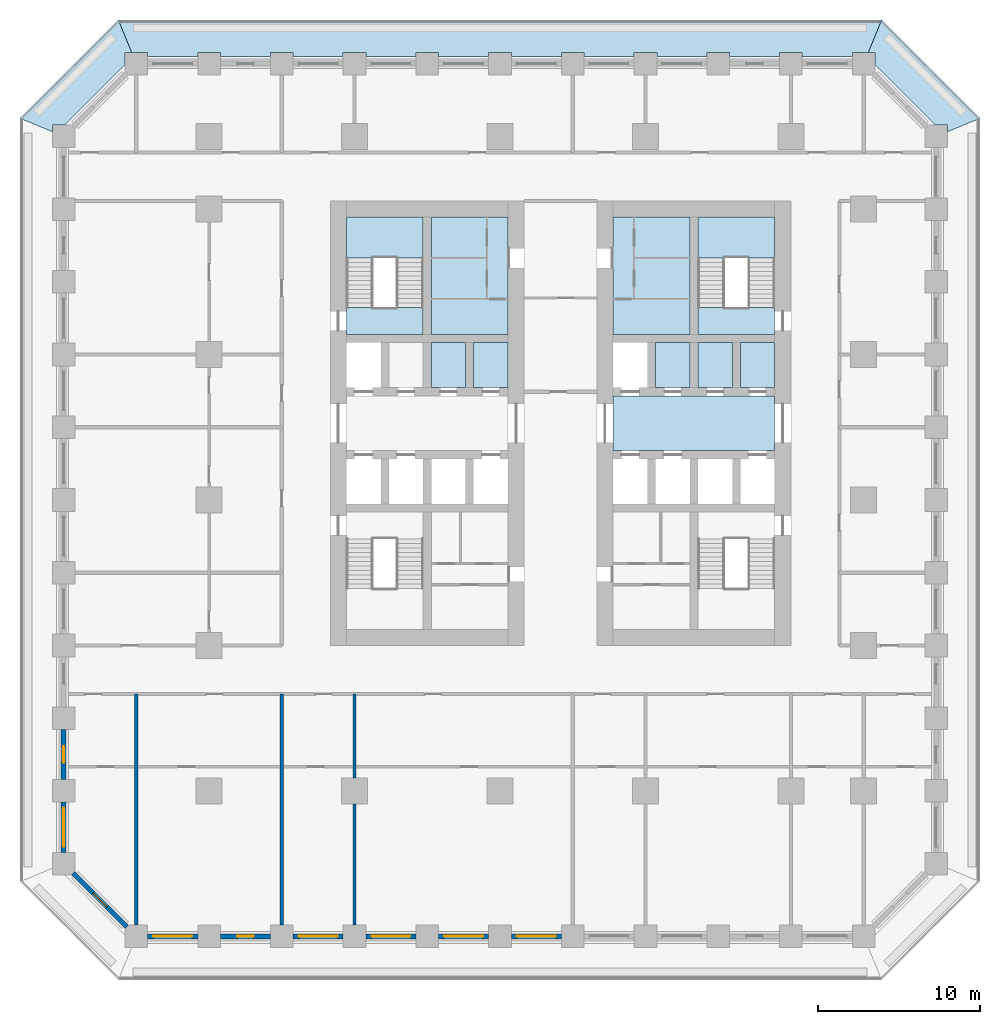
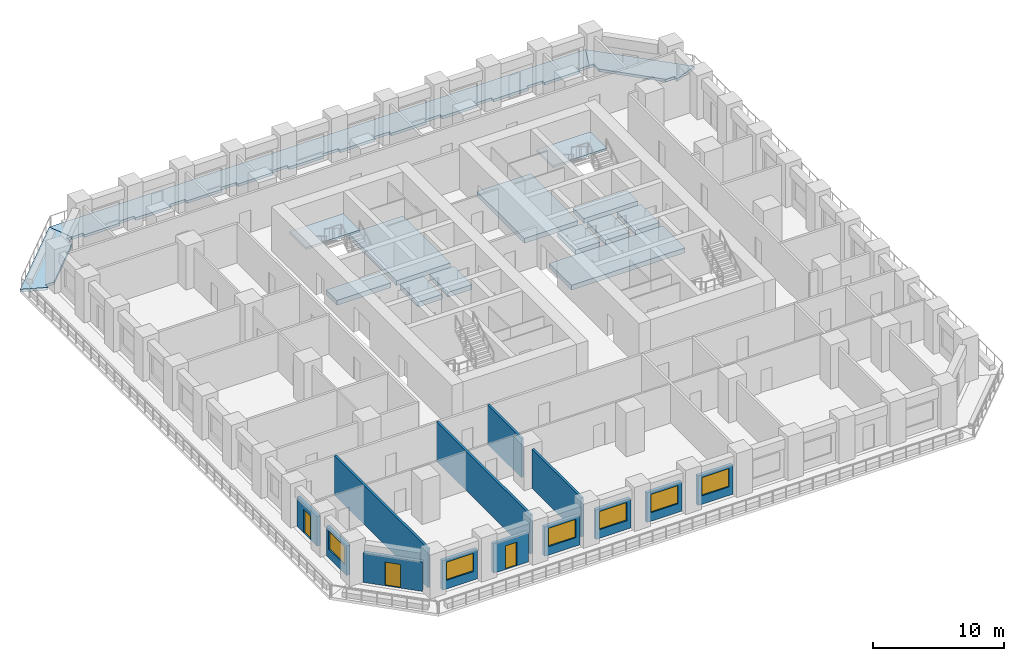
# One storey, part 2 of 12: 15 slabs, 13 walls, 6 windows, 3 doors, 9 openings, 2 elements without a shape of their own.
"""IFC4 building model written with IfcOpenShell, lengths in metres."""

from ifc_helpers import new_model, si_unit, direction, frame, frame_2d, origin, place, context, subcontext, project, spatial, polyline, rectangle, outline, extrude, material, layer, layer_set, type_object, element, fill, aggregate, save


model = new_model("IFC4")

# Units and contexts
model_context = context("Model", 3, precision=1e-05, world=origin(), true_north=direction((0.0, 1.0)))
body_context = subcontext(model_context, "Body", "Model", "MODEL_VIEW")
ifc_project = project(units=[si_unit("LENGTHUNIT", "METRE"), si_unit("AREAUNIT", "SQUARE_METRE"), si_unit("VOLUMEUNIT", "CUBIC_METRE"), si_unit("PLANEANGLEUNIT", "RADIAN"), si_unit("MASSUNIT", "GRAM", prefix="KILO")], contexts=[model_context])

# Site, building, storey
site_placement = place(None, origin())
site = spatial("IfcSite", under=ifc_project, at=site_placement, CompositionType="ELEMENT")
building_placement = place(site_placement, origin())
building = spatial("IfcBuilding", under=site, at=building_placement, Name="Corbel Stack Research Tower", CompositionType="ELEMENT")
storey_placement = place(building_placement, frame((0.0, 0.0, 27.699951171875)))
storey = spatial("IfcBuildingStorey", under=building, at=storey_placement, Name="L06", CompositionType="ELEMENT", Elevation=27.699951171875)

# Slabs
ifc_material_1 = material(Name="Concrete C45/55", Category="concrete")
ifc_layer_1 = layer(ifc_material_1, 0.25)
ifc_layer_set_1 = layer_set([ifc_layer_1], Name="Concrete C45/55")
slab_type_1 = type_object("IfcSlabType", Name="PT balcony slab 250 C45/55", PredefinedType="FLOOR", material=ifc_layer_set_1)
slab_1_placement = place(storey_placement, frame((0.0, 0.0, -0.25)))
element("IfcSlab", 1, at=slab_1_placement, inside=storey, type_object=slab_type_1, Name="Loggia slab L06 NE", PredefinedType="FLOOR", context=body_context, shape_type="SweptSolid", body=[
    extrude(outline(polyline([(22.789794921875, 27.699951171875), (23.199951171875, 27.699951171875), (23.199951171875, 26.936279296875), (26.936279296875, 23.199951171875), (27.699951171875, 23.199951171875), (27.699951171875, 22.789794921875), (29.699951171875, 23.618408203125), (23.618408203125, 29.699951171875), (22.789794921875, 27.699951171875)])), origin(), (0.0, 0.0, 1.0), 0.25),
])
slab_2_placement = place(storey_placement, frame((0.0, 0.0, -0.25)))
element("IfcSlab", 2, at=slab_2_placement, inside=storey, type_object=slab_type_1, Name="Loggia slab L06 N", PredefinedType="FLOOR", context=body_context, shape_type="SweptSolid", body=[
    extrude(outline(polyline([(-22.789794921875, 27.699951171875), (-21.800048828125, 27.699951171875), (-21.800048828125, 27.449951171875), (-18.699951171875, 27.449951171875), (-18.699951171875, 27.699951171875), (-17.300048828125, 27.699951171875), (-17.300048828125, 27.449951171875), (-14.199951171875, 27.449951171875), (-14.199951171875, 27.699951171875), (-12.800048828125, 27.699951171875), (-12.800048828125, 27.449951171875), (-9.699951171875, 27.449951171875), (-9.699951171875, 27.699951171875), (-8.300048828125, 27.699951171875), (-8.300048828125, 27.449951171875), (-5.199951171875, 27.449951171875), (-5.199951171875, 27.699951171875), (-3.800048828125, 27.699951171875), (-3.800048828125, 27.449951171875), (-0.699951171875, 27.449951171875), (-0.699951171875, 27.699951171875), (0.699951171875, 27.699951171875), (0.699951171875, 27.449951171875), (3.800048828125, 27.449951171875), (3.800048828125, 27.699951171875), (5.199951171875, 27.699951171875), (5.199951171875, 27.449951171875), (8.300048828125, 27.449951171875), (8.300048828125, 27.699951171875), (9.699951171875, 27.699951171875), (9.699951171875, 27.449951171875), (12.800048828125, 27.449951171875), (12.800048828125, 27.699951171875), (14.199951171875, 27.699951171875), (14.199951171875, 27.449951171875), (17.300048828125, 27.449951171875), (17.300048828125, 27.699951171875), (18.699951171875, 27.699951171875), (18.699951171875, 27.449951171875), (21.800048828125, 27.449951171875), (21.800048828125, 27.699951171875), (22.789794921875, 27.699951171875), (23.618408203125, 29.699951171875), (-23.618408203125, 29.699951171875), (-22.789794921875, 27.699951171875)])), origin(), (0.0, 0.0, 1.0), 0.25),
])
slab_3_placement = place(storey_placement, frame((0.0, 0.0, -0.25)))
element("IfcSlab", 3, at=slab_3_placement, inside=storey, type_object=slab_type_1, Name="Loggia slab L06 NW", PredefinedType="FLOOR", context=body_context, shape_type="SweptSolid", body=[
    extrude(outline(polyline([(-27.699951171875, 22.789794921875), (-27.699951171875, 23.199951171875), (-26.936279296875, 23.199951171875), (-23.199951171875, 26.936279296875), (-23.199951171875, 27.699951171875), (-22.789794921875, 27.699951171875), (-23.618408203125, 29.699951171875), (-29.699951171875, 23.618408203125), (-27.699951171875, 22.789794921875)])), origin(), (0.0, 0.0, 1.0), 0.25),
])
ifc_material_2 = material(Name="Concrete C45/55", Category="concrete")
ifc_layer_2 = layer(ifc_material_2, 0.449951171875)
ifc_layer_set_2 = layer_set([ifc_layer_2], Name="Concrete C45/55")
slab_type_2 = type_object("IfcSlabType", Name="PT-450", PredefinedType="FLOOR", material=ifc_layer_set_2)
slab_4_placement = place(storey_placement, frame((0.0, 0.0, -0.449951171875)))
element("IfcSlab", 4, at=slab_4_placement, inside=storey, type_object=slab_type_2, Name="West core floor L06", PredefinedType="FLOOR", context=body_context, shape_type="SweptSolid", body=[
    extrude(outline(polyline([(-2.125, 6.949951171875), (-2.125, 9.75), (-4.25, 9.75), (-4.25, 6.949951171875), (-2.125, 6.949951171875)])), origin(), (0.0, 0.0, 1.0), 0.449951171875),
])
slab_5_placement = place(storey_placement, frame((0.0, 0.0, -0.449951171875)))
element("IfcSlab", 5, at=slab_5_placement, inside=storey, type_object=slab_type_2, Name="West core floor L06", PredefinedType="FLOOR", context=body_context, shape_type="SweptSolid", body=[
    extrude(outline(polyline([(-4.25, 17.5), (-4.25, 10.25), (0.5, 10.25), (0.5, 17.5), (-4.25, 17.5)])), origin(), (0.0, 0.0, 1.0), 0.449951171875),
])
slab_6_placement = place(storey_placement, frame((0.0, 0.0, -0.449951171875)))
element("IfcSlab", 6, at=slab_6_placement, inside=storey, type_object=slab_type_2, Name="West core floor L06", PredefinedType="FLOOR", context=body_context, shape_type="SweptSolid", body=[
    extrude(outline(polyline([(0.5, 6.949951171875), (0.5, 9.75), (-1.625, 9.75), (-1.625, 6.949951171875), (0.5, 6.949951171875)])), origin(), (0.0, 0.0, 1.0), 0.449951171875),
])
slab_7_placement = place(storey_placement, frame((0.0, 0.0, -0.449951171875)))
element("IfcSlab", 7, at=slab_7_placement, inside=storey, type_object=slab_type_2, Name="East core floor L06", PredefinedType="FLOOR", context=body_context, shape_type="SweptSolid", body=[
    extrude(outline(polyline([(7.0, 6.449951171875), (7.0, 3.050048828125), (17.0, 3.050048828125), (17.0, 6.449951171875), (7.0, 6.449951171875)])), origin(), (0.0, 0.0, 1.0), 0.449951171875),
])
slab_8_placement = place(storey_placement, frame((0.0, 0.0, -0.449951171875)))
element("IfcSlab", 8, at=slab_8_placement, inside=storey, type_object=slab_type_2, Name="East core floor L06", PredefinedType="FLOOR", context=body_context, shape_type="SweptSolid", body=[
    extrude(outline(polyline([(7.0, 17.5), (7.0, 10.25), (11.75, 10.25), (11.75, 17.5), (7.0, 17.5)])), origin(), (0.0, 0.0, 1.0), 0.449951171875),
])
slab_9_placement = place(storey_placement, frame((0.0, 0.0, -0.449951171875)))
element("IfcSlab", 9, at=slab_9_placement, inside=storey, type_object=slab_type_2, Name="East core floor L06", PredefinedType="FLOOR", context=body_context, shape_type="SweptSolid", body=[
    extrude(outline(polyline([(9.625, 6.949951171875), (11.75, 6.949951171875), (11.75, 9.75), (9.625, 9.75), (9.625, 6.949951171875)])), origin(), (0.0, 0.0, 1.0), 0.449951171875),
])
slab_10_placement = place(storey_placement, frame((0.0, 0.0, -0.449951171875)))
element("IfcSlab", 10, at=slab_10_placement, inside=storey, type_object=slab_type_2, Name="East core floor L06", PredefinedType="FLOOR", context=body_context, shape_type="SweptSolid", body=[
    extrude(outline(polyline([(14.375, 6.949951171875), (14.375, 9.75), (12.25, 9.75), (12.25, 6.949951171875), (14.375, 6.949951171875)])), origin(), (0.0, 0.0, 1.0), 0.449951171875),
])
slab_11_placement = place(storey_placement, frame((0.0, 0.0, -0.449951171875)))
element("IfcSlab", 11, at=slab_11_placement, inside=storey, type_object=slab_type_2, Name="East core floor L06", PredefinedType="FLOOR", context=body_context, shape_type="SweptSolid", body=[
    extrude(outline(polyline([(17.0, 6.949951171875), (17.0, 9.75), (14.875, 9.75), (14.875, 6.949951171875), (17.0, 6.949951171875)])), origin(), (0.0, 0.0, 1.0), 0.449951171875),
])
slab_12_placement = place(storey_placement, frame((0.0, 0.0, -0.449951171875)))
element("IfcSlab", 12, at=slab_12_placement, inside=storey, type_object=slab_type_2, Name="Stair floor landing ST-W2", PredefinedType="FLOOR", context=body_context, shape_type="SweptSolid", body=[
    extrude(outline(polyline([(-9.5, 10.25), (-4.75, 10.25), (-4.75, 11.89990234375), (-9.5, 11.89990234375), (-9.5, 10.25)])), origin(), (0.0, 0.0, 1.0), 0.449951171875),
])
slab_13_placement = place(storey_placement, frame((0.0, 0.0, -0.449951171875)))
element("IfcSlab", 13, at=slab_13_placement, inside=storey, type_object=slab_type_2, Name="Stair floor landing ST-E2", PredefinedType="FLOOR", context=body_context, shape_type="SweptSolid", body=[
    extrude(outline(polyline([(12.25, 10.25), (17.0, 10.25), (17.0, 11.89990234375), (12.25, 11.89990234375), (12.25, 10.25)])), origin(), (0.0, 0.0, 1.0), 0.449951171875),
])

# Stair, slab
ifc_material_3 = material(Name="Concrete C40/50", Category="concrete")
stair_type = type_object("IfcStairType", Name="Exit stair 24 risers", PredefinedType="HALF_TURN_STAIR", material=ifc_material_3)
stair_1_placement = place(storey_placement, origin())
stair_1 = element("IfcStair", 14, at=stair_1_placement, inside=storey, type_object=stair_type, Name="L06 Exit stair ST-W2", PredefinedType="HALF_TURN_STAIR")
ifc_material_4 = material(Name="Concrete C40/50", Category="concrete")
ifc_layer_3 = layer(ifc_material_4, 0.199951171875)
ifc_layer_set_3 = layer_set([ifc_layer_3], Name="Concrete C40/50")
slab_type_3 = type_object("IfcSlabType", Name="Stair landing 200 C40/50", PredefinedType="LANDING", material=ifc_layer_set_3)
slab_14_placement = place(storey_placement, frame((0.0, 0.0, 1.85009765625)))
slab_14 = element("IfcSlab", 15, at=slab_14_placement, type_object=slab_type_3, Name="ST-W2 landing 1", PredefinedType="LANDING", context=body_context, shape_type="SweptSolid", body=[
    extrude(outline(polyline([(-9.5, 14.97998046875), (-9.5, 17.5), (-4.75, 17.5), (-4.75, 14.97998046875), (-9.5, 14.97998046875)])), origin(), (0.0, 0.0, 1.0), 0.199951171875),
])
aggregate(stair_1, [slab_14])

stair_2_placement = place(storey_placement, origin())
stair_2 = element("IfcStair", 16, at=stair_2_placement, inside=storey, type_object=stair_type, Name="L06 Exit stair ST-E2", PredefinedType="HALF_TURN_STAIR")
slab_15_placement = place(storey_placement, frame((0.0, 0.0, 1.85009765625)))
slab_15 = element("IfcSlab", 17, at=slab_15_placement, type_object=slab_type_3, Name="ST-E2 landing 1", PredefinedType="LANDING", context=body_context, shape_type="SweptSolid", body=[
    extrude(outline(polyline([(12.25, 14.97998046875), (12.25, 17.5), (17.0, 17.5), (17.0, 14.97998046875), (12.25, 14.97998046875)])), origin(), (0.0, 0.0, 1.0), 0.199951171875),
])
aggregate(stair_2, [slab_15])

# Walls
ifc_material_5 = material(Name="Fire-rated gypsum board partition on steel studs", Category="steel")
ifc_layer_4 = layer(ifc_material_5, 0.199951171875)
ifc_layer_set_4 = layer_set([ifc_layer_4], Name="Fire-rated gypsum board partition on steel studs")
wall_type_1 = type_object("IfcWallType", Name="Fire-rated partition 200 EI 60", PredefinedType="PARTITIONING", material=ifc_layer_set_4)
for number, where, z_axis, x_axis, name in (
    (18, (-22.5, -26.300048828125, 0.0), (0.0, 0.0, 1.0), (0.0, 1.0, 0.0), "Partition L06-001"),
    (19, (-13.5, -26.300048828125, 0.0), (0.0, 0.0, 1.0), (0.0, 1.0, 0.0), "Partition L06-006"),
):
    element("IfcWall", number, at=place(storey_placement, frame(where, z_axis=z_axis, x_axis=x_axis)), inside=storey, type_object=wall_type_1, Name=name, PredefinedType="PARTITIONING", context=body_context, shape_type="SweptSolid", body=[
        extrude(rectangle(XDim=14.300048828125, YDim=0.199951171875, at=frame_2d((7.14990234375, 0.0))), origin(), (0.0, 0.0, 1.0), 3.650146484375),
    ])
wall_1_placement = place(storey_placement, frame((-9.0, -26.300048828125, 0.0), z_axis=(0.0, 0.0, 1.0), x_axis=(0.0, 1.0, 0.0)))
element("IfcWall", 20, at=wall_1_placement, inside=storey, type_object=wall_type_1, Name="Partition L06-009", PredefinedType="PARTITIONING", context=body_context, shape_type="SweptSolid", body=[
    extrude(rectangle(XDim=7.5, YDim=0.199951171875, at=frame_2d((3.75, 0.0))), origin(), (0.0, 0.0, 1.0), 3.650146484375),
])
wall_2_placement = place(storey_placement, frame((-9.0, -17.199951171875, 0.0), z_axis=(0.0, 0.0, 1.0), x_axis=(0.0, 1.0, 0.0)))
element("IfcWall", 21, at=wall_2_placement, inside=storey, type_object=wall_type_1, Name="Partition L06-010", PredefinedType="PARTITIONING", context=body_context, shape_type="SweptSolid", body=[
    extrude(rectangle(XDim=5.199951171875, YDim=0.199951171875, at=frame_2d((2.60009765625, 0.0))), origin(), (0.0, 0.0, 1.0), 3.650146484375),
])

# Wall, opening, window
ifc_material_6 = material(Name="Concrete C45/55", Category="concrete")
ifc_layer_5 = layer(ifc_material_6, 0.300048828125)
ifc_layer_set_5 = layer_set([ifc_layer_5], Name="Concrete C45/55")
wall_type_2 = type_object("IfcWallType", Name="Terracotta-faced concrete wall 300", PredefinedType="SOLIDWALL", material=ifc_layer_set_5)
wall_3_placement = place(storey_placement, frame((-18.699951171875, -27.0, 0.0), z_axis=(0.0, 0.0, 1.0), x_axis=(-1.0, 0.0, 0.0)))
wall_3 = element("IfcWall", 22, at=wall_3_placement, inside=storey, type_object=wall_type_2, Name="Facade wall L06 S01", PredefinedType="SOLIDWALL", context=body_context, shape_type="SweptSolid", body=[
    extrude(rectangle(XDim=3.10009765625, YDim=0.300048828125, at=frame_2d((1.550048828125, 0.0))), origin(), (0.0, 0.0, 1.0), 2.75),
])
opening_1_placement = place(wall_3_placement, frame((0.35009765625, 0.0, 0.800048828125)))
opening_1 = element("IfcOpeningElement", 23, at=opening_1_placement, cuts=wall_3, Name="Opening W1", PredefinedType="OPENING", context=body_context, shape_type="SweptSolid", body=[
    extrude(rectangle(XDim=2.39990234375, YDim=1.699951171875, at=frame_2d((1.199951171875, 0.85009765625))), frame((0.0, 0.159912109375, 0.0), z_axis=(0.0, -1.0, 0.0), x_axis=(1.0, 0.0, 0.0)), (0.0, 0.0, 1.0), 0.320068359375),
])
ifc_material_7 = material(Name="Aluminium frame, clear double glazing", Category="aluminium")
window_type = type_object("IfcWindowType", Name="Window W1 2400 x 1700", PartitioningType="SINGLE_PANEL", PredefinedType="WINDOW", material=ifc_material_7)
window_1_placement = place(opening_1_placement, origin())
window_1 = element("IfcWindow", 24, at=window_1_placement, inside=storey, type_object=window_type, Name="Window W1 L06 S01", OverallHeight=1.699951171875, OverallWidth=2.39990234375, PartitioningType="SINGLE_PANEL", PredefinedType="WINDOW", context=body_context, shape_type="SweptSolid", body=[
    extrude(rectangle(XDim=2.39990234375, YDim=1.699951171875, at=frame_2d((1.199951171875, 0.85009765625))), frame((0.0, 0.030029296875, 0.0), z_axis=(0.0, -1.0, 0.0), x_axis=(1.0, 0.0, 0.0)), (0.0, 0.0, 1.0), 0.06005859375),
])
fill(opening_1, window_1)

# Wall, opening, door
wall_4_placement = place(storey_placement, frame((-14.199951171875, -27.0, 0.0), z_axis=(0.0, 0.0, 1.0), x_axis=(-1.0, 0.0, 0.0)))
wall_4 = element("IfcWall", 25, at=wall_4_placement, inside=storey, type_object=wall_type_2, Name="Facade wall L06 S02", PredefinedType="SOLIDWALL", context=body_context, shape_type="SweptSolid", body=[
    extrude(rectangle(XDim=3.10009765625, YDim=0.300048828125, at=frame_2d((1.550048828125, 0.0))), origin(), (0.0, 0.0, 1.0), 2.75),
])
opening_2_placement = place(wall_4_placement, frame((1.050048828125, 0.0, 0.0)))
opening_2 = element("IfcOpeningElement", 26, at=opening_2_placement, cuts=wall_4, Name="Opening L06-B01", PredefinedType="OPENING", context=body_context, shape_type="SweptSolid", body=[
    extrude(rectangle(XDim=1.0, YDim=2.199951171875, at=frame_2d((0.5, 1.10009765625))), frame((0.0, 0.159912109375, 0.0), z_axis=(0.0, -1.0, 0.0), x_axis=(1.0, 0.0, 0.0)), (0.0, 0.0, 1.0), 0.320068359375),
])
ifc_material_8 = material(Name="Aluminium frame, clear double glazing", Category="aluminium")
door_type_1 = type_object("IfcDoorType", Name="Balcony door BD1 1000 x 2200", OperationType="NOTDEFINED", PredefinedType="DOOR", material=ifc_material_8)
door_1_placement = place(opening_2_placement, origin())
door_1 = element("IfcDoor", 27, at=door_1_placement, inside=storey, type_object=door_type_1, Name="Balcony door L06-B01", OperationType="SINGLE_SWING_RIGHT", OverallHeight=2.199951171875, OverallWidth=1.0, PredefinedType="DOOR", context=body_context, shape_type="SweptSolid", body=[
    extrude(rectangle(XDim=1.0, YDim=2.199951171875, at=frame_2d((0.5, 1.10009765625))), frame((0.0, 0.02490234375, 0.0), z_axis=(0.0, -1.0, 0.0), x_axis=(1.0, 0.0, 0.0)), (0.0, 0.0, 1.0), 0.050048828125),
])
fill(opening_2, door_1)

# Wall, opening, window
wall_5_placement = place(storey_placement, frame((-9.699951171875, -27.0, 0.0), z_axis=(0.0, 0.0, 1.0), x_axis=(-1.0, 0.0, 0.0)))
wall_5 = element("IfcWall", 28, at=wall_5_placement, inside=storey, type_object=wall_type_2, Name="Facade wall L06 S03", PredefinedType="SOLIDWALL", context=body_context, shape_type="SweptSolid", body=[
    extrude(rectangle(XDim=3.10009765625, YDim=0.300048828125, at=frame_2d((1.550048828125, 0.0))), origin(), (0.0, 0.0, 1.0), 2.75),
])
opening_3_placement = place(wall_5_placement, frame((0.35009765625, 0.0, 0.800048828125)))
opening_3 = element("IfcOpeningElement", 29, at=opening_3_placement, cuts=wall_5, Name="Opening W1", PredefinedType="OPENING", context=body_context, shape_type="SweptSolid", body=[
    extrude(rectangle(XDim=2.39990234375, YDim=1.699951171875, at=frame_2d((1.199951171875, 0.85009765625))), frame((0.0, 0.159912109375, 0.0), z_axis=(0.0, -1.0, 0.0), x_axis=(1.0, 0.0, 0.0)), (0.0, 0.0, 1.0), 0.320068359375),
])
window_2_placement = place(opening_3_placement, origin())
window_2 = element("IfcWindow", 30, at=window_2_placement, inside=storey, type_object=window_type, Name="Window W1 L06 S03", OverallHeight=1.699951171875, OverallWidth=2.39990234375, PartitioningType="SINGLE_PANEL", PredefinedType="WINDOW", context=body_context, shape_type="SweptSolid", body=[
    extrude(rectangle(XDim=2.39990234375, YDim=1.699951171875, at=frame_2d((1.199951171875, 0.85009765625))), frame((0.0, 0.030029296875, 0.0), z_axis=(0.0, -1.0, 0.0), x_axis=(1.0, 0.0, 0.0)), (0.0, 0.0, 1.0), 0.06005859375),
])
fill(opening_3, window_2)

wall_6_placement = place(storey_placement, frame((-5.199951171875, -27.0, 0.0), z_axis=(0.0, 0.0, 1.0), x_axis=(-1.0, 0.0, 0.0)))
wall_6 = element("IfcWall", 31, at=wall_6_placement, inside=storey, type_object=wall_type_2, Name="Facade wall L06 S04", PredefinedType="SOLIDWALL", context=body_context, shape_type="SweptSolid", body=[
    extrude(rectangle(XDim=3.10009765625, YDim=0.300048828125, at=frame_2d((1.550048828125, 0.0))), origin(), (0.0, 0.0, 1.0), 2.75),
])
opening_4_placement = place(wall_6_placement, frame((0.35009765625, 0.0, 0.800048828125)))
opening_4 = element("IfcOpeningElement", 32, at=opening_4_placement, cuts=wall_6, Name="Opening W1", PredefinedType="OPENING", context=body_context, shape_type="SweptSolid", body=[
    extrude(rectangle(XDim=2.39990234375, YDim=1.699951171875, at=frame_2d((1.199951171875, 0.85009765625))), frame((0.0, 0.159912109375, 0.0), z_axis=(0.0, -1.0, 0.0), x_axis=(1.0, 0.0, 0.0)), (0.0, 0.0, 1.0), 0.320068359375),
])
window_3_placement = place(opening_4_placement, origin())
window_3 = element("IfcWindow", 33, at=window_3_placement, inside=storey, type_object=window_type, Name="Window W1 L06 S04", OverallHeight=1.699951171875, OverallWidth=2.39990234375, PartitioningType="SINGLE_PANEL", PredefinedType="WINDOW", context=body_context, shape_type="SweptSolid", body=[
    extrude(rectangle(XDim=2.39990234375, YDim=1.699951171875, at=frame_2d((1.199951171875, 0.85009765625))), frame((0.0, 0.030029296875, 0.0), z_axis=(0.0, -1.0, 0.0), x_axis=(1.0, 0.0, 0.0)), (0.0, 0.0, 1.0), 0.06005859375),
])
fill(opening_4, window_3)

wall_7_placement = place(storey_placement, frame((-0.699951171875, -27.0, 0.0), z_axis=(0.0, 0.0, 1.0), x_axis=(-1.0, 0.0, 0.0)))
wall_7 = element("IfcWall", 34, at=wall_7_placement, inside=storey, type_object=wall_type_2, Name="Facade wall L06 S05", PredefinedType="SOLIDWALL", context=body_context, shape_type="SweptSolid", body=[
    extrude(rectangle(XDim=3.10009765625, YDim=0.300048828125, at=frame_2d((1.550048828125, 0.0))), origin(), (0.0, 0.0, 1.0), 2.75),
])
opening_5_placement = place(wall_7_placement, frame((0.35009765625, 0.0, 0.800048828125)))
opening_5 = element("IfcOpeningElement", 35, at=opening_5_placement, cuts=wall_7, Name="Opening W1", PredefinedType="OPENING", context=body_context, shape_type="SweptSolid", body=[
    extrude(rectangle(XDim=2.39990234375, YDim=1.699951171875, at=frame_2d((1.199951171875, 0.85009765625))), frame((0.0, 0.159912109375, 0.0), z_axis=(0.0, -1.0, 0.0), x_axis=(1.0, 0.0, 0.0)), (0.0, 0.0, 1.0), 0.320068359375),
])
window_4_placement = place(opening_5_placement, origin())
window_4 = element("IfcWindow", 36, at=window_4_placement, inside=storey, type_object=window_type, Name="Window W1 L06 S05", OverallHeight=1.699951171875, OverallWidth=2.39990234375, PartitioningType="SINGLE_PANEL", PredefinedType="WINDOW", context=body_context, shape_type="SweptSolid", body=[
    extrude(rectangle(XDim=2.39990234375, YDim=1.699951171875, at=frame_2d((1.199951171875, 0.85009765625))), frame((0.0, 0.030029296875, 0.0), z_axis=(0.0, -1.0, 0.0), x_axis=(1.0, 0.0, 0.0)), (0.0, 0.0, 1.0), 0.06005859375),
])
fill(opening_5, window_4)

wall_8_placement = place(storey_placement, frame((3.800048828125, -27.0, 0.0), z_axis=(0.0, 0.0, 1.0), x_axis=(-1.0, 0.0, 0.0)))
wall_8 = element("IfcWall", 37, at=wall_8_placement, inside=storey, type_object=wall_type_2, Name="Facade wall L06 S06", PredefinedType="SOLIDWALL", context=body_context, shape_type="SweptSolid", body=[
    extrude(rectangle(XDim=3.10009765625, YDim=0.300048828125, at=frame_2d((1.550048828125, 0.0))), origin(), (0.0, 0.0, 1.0), 2.75),
])
opening_6_placement = place(wall_8_placement, frame((0.35009765625, 0.0, 0.800048828125)))
opening_6 = element("IfcOpeningElement", 38, at=opening_6_placement, cuts=wall_8, Name="Opening W1", PredefinedType="OPENING", context=body_context, shape_type="SweptSolid", body=[
    extrude(rectangle(XDim=2.39990234375, YDim=1.699951171875, at=frame_2d((1.199951171875, 0.85009765625))), frame((0.0, 0.159912109375, 0.0), z_axis=(0.0, -1.0, 0.0), x_axis=(1.0, 0.0, 0.0)), (0.0, 0.0, 1.0), 0.320068359375),
])
window_5_placement = place(opening_6_placement, origin())
window_5 = element("IfcWindow", 39, at=window_5_placement, inside=storey, type_object=window_type, Name="Window W1 L06 S06", OverallHeight=1.699951171875, OverallWidth=2.39990234375, PartitioningType="SINGLE_PANEL", PredefinedType="WINDOW", context=body_context, shape_type="SweptSolid", body=[
    extrude(rectangle(XDim=2.39990234375, YDim=1.699951171875, at=frame_2d((1.199951171875, 0.85009765625))), frame((0.0, 0.030029296875, 0.0), z_axis=(0.0, -1.0, 0.0), x_axis=(1.0, 0.0, 0.0)), (0.0, 0.0, 1.0), 0.06005859375),
])
fill(opening_6, window_5)

# Wall, opening, door
wall_9_placement = place(storey_placement, frame((-27.0, -17.300048828125, 0.0), z_axis=(0.0, 0.0, 1.0), x_axis=(0.0, 1.0, 0.0)))
wall_9 = element("IfcWall", 40, at=wall_9_placement, inside=storey, type_object=wall_type_2, Name="Facade wall L06 W09", PredefinedType="SOLIDWALL", context=body_context, shape_type="SweptSolid", body=[
    extrude(rectangle(XDim=3.10009765625, YDim=0.300048828125, at=frame_2d((1.550048828125, 0.0))), origin(), (0.0, 0.0, 1.0), 2.75),
])
opening_7_placement = place(wall_9_placement, frame((1.050048828125, 0.0, 0.0)))
opening_7 = element("IfcOpeningElement", 41, at=opening_7_placement, cuts=wall_9, Name="Opening L06-B11", PredefinedType="OPENING", context=body_context, shape_type="SweptSolid", body=[
    extrude(rectangle(XDim=1.0, YDim=2.199951171875, at=frame_2d((0.5, 1.10009765625))), frame((0.0, 0.159912109375, 0.0), z_axis=(0.0, -1.0, 0.0), x_axis=(1.0, 0.0, 0.0)), (0.0, 0.0, 1.0), 0.320068359375),
])
door_2_placement = place(opening_7_placement, origin())
door_2 = element("IfcDoor", 42, at=door_2_placement, inside=storey, type_object=door_type_1, Name="Balcony door L06-B11", OperationType="SINGLE_SWING_LEFT", OverallHeight=2.199951171875, OverallWidth=1.0, PredefinedType="DOOR", context=body_context, shape_type="SweptSolid", body=[
    extrude(rectangle(XDim=1.0, YDim=2.199951171875, at=frame_2d((0.5, 1.10009765625))), frame((0.0, 0.02490234375, 0.0), z_axis=(0.0, -1.0, 0.0), x_axis=(1.0, 0.0, 0.0)), (0.0, 0.0, 1.0), 0.050048828125),
])
fill(opening_7, door_2)

# Wall, opening, window
wall_10_placement = place(storey_placement, frame((-27.0, -21.800048828125, 0.0), z_axis=(0.0, 0.0, 1.0), x_axis=(0.0, 1.0, 0.0)))
wall_10 = element("IfcWall", 43, at=wall_10_placement, inside=storey, type_object=wall_type_2, Name="Facade wall L06 W10", PredefinedType="SOLIDWALL", context=body_context, shape_type="SweptSolid", body=[
    extrude(rectangle(XDim=3.10009765625, YDim=0.300048828125, at=frame_2d((1.550048828125, 0.0))), origin(), (0.0, 0.0, 1.0), 2.75),
])
opening_8_placement = place(wall_10_placement, frame((0.35009765625, 0.0, 0.800048828125)))
opening_8 = element("IfcOpeningElement", 44, at=opening_8_placement, cuts=wall_10, Name="Opening W1", PredefinedType="OPENING", context=body_context, shape_type="SweptSolid", body=[
    extrude(rectangle(XDim=2.39990234375, YDim=1.699951171875, at=frame_2d((1.199951171875, 0.85009765625))), frame((0.0, 0.159912109375, 0.0), z_axis=(0.0, -1.0, 0.0), x_axis=(1.0, 0.0, 0.0)), (0.0, 0.0, 1.0), 0.320068359375),
])
window_6_placement = place(opening_8_placement, origin())
window_6 = element("IfcWindow", 45, at=window_6_placement, inside=storey, type_object=window_type, Name="Window W1 L06 W10", OverallHeight=1.699951171875, OverallWidth=2.39990234375, PartitioningType="SINGLE_PANEL", PredefinedType="WINDOW", context=body_context, shape_type="SweptSolid", body=[
    extrude(rectangle(XDim=2.39990234375, YDim=1.699951171875, at=frame_2d((1.199951171875, 0.85009765625))), frame((0.0, 0.030029296875, 0.0), z_axis=(0.0, -1.0, 0.0), x_axis=(1.0, 0.0, 0.0)), (0.0, 0.0, 1.0), 0.06005859375),
])
fill(opening_8, window_6)

# Wall, opening, door
wall_11_placement = place(storey_placement, frame((-23.093994140625, -26.406005859375, 0.0), z_axis=(0.0, 0.0, 1.0), x_axis=(-0.707106781187, 0.707106781187, 0.0)))
wall_11 = element("IfcWall", 46, at=wall_11_placement, inside=storey, type_object=wall_type_2, Name="Facade wall L06 SW01", PredefinedType="SOLIDWALL", context=body_context, shape_type="SweptSolid", body=[
    extrude(rectangle(XDim=4.683837890625, YDim=0.300048828125, at=frame_2d((2.341796875, 0.0))), origin(), (0.0, 0.0, 1.0), 2.75),
])
opening_9_placement = place(wall_11_placement, frame((1.741943359375, 0.0, 0.0)))
opening_9 = element("IfcOpeningElement", 47, at=opening_9_placement, cuts=wall_11, Name="Opening L06-B12", PredefinedType="OPENING", context=body_context, shape_type="SweptSolid", body=[
    extrude(rectangle(XDim=1.199951171875, YDim=2.199951171875, at=frame_2d((0.60009765625, 1.10009765625))), frame((0.0, 0.159912109375, 0.0), z_axis=(0.0, -1.0, 0.0), x_axis=(1.0, 0.0, 0.0)), (0.0, 0.0, 1.0), 0.320068359375),
])
ifc_material_9 = material(Name="Aluminium frame, clear double glazing", Category="aluminium")
door_type_2 = type_object("IfcDoorType", Name="Balcony door BD2 1200 x 2200", OperationType="NOTDEFINED", PredefinedType="DOOR", material=ifc_material_9)
door_3_placement = place(opening_9_placement, origin())
door_3 = element("IfcDoor", 48, at=door_3_placement, inside=storey, type_object=door_type_2, Name="Balcony door L06-B12", OperationType="SINGLE_SWING_LEFT", OverallHeight=2.199951171875, OverallWidth=1.199951171875, PredefinedType="DOOR", context=body_context, shape_type="SweptSolid", body=[
    extrude(rectangle(XDim=1.199951171875, YDim=2.199951171875, at=frame_2d((0.60009765625, 1.10009765625))), frame((0.0, 0.02490234375, 0.0), z_axis=(0.0, -1.0, 0.0), x_axis=(1.0, 0.0, 0.0)), (0.0, 0.0, 1.0), 0.050048828125),
])
fill(opening_9, door_3)

save(model, "model.ifc")
